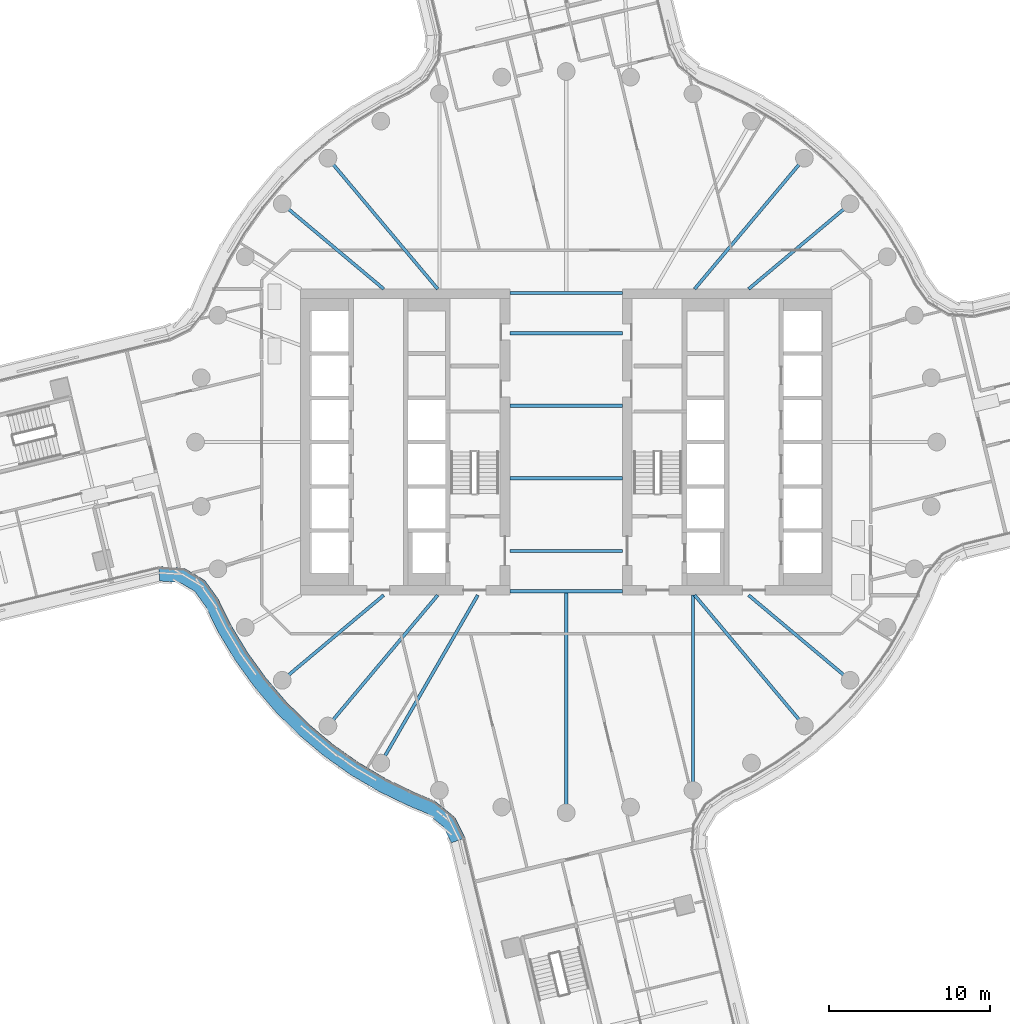
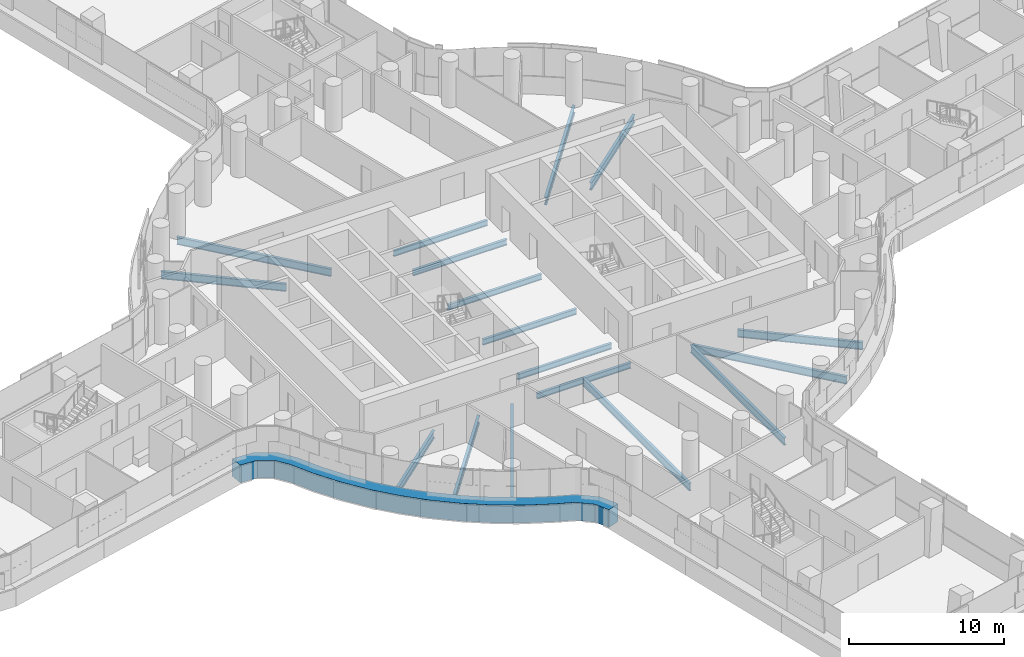
# One storey, part 8 of 33: 17 beams, 1 member, 1 element without a shape of its own.
"""IFC4 building model written with IfcOpenShell, lengths in metres."""

from ifc_helpers import new_model, si_unit, direction, frame, origin, origin_2d, place, context, subcontext, project, spatial, polyline, i_section, outline, extrude, material, layer, layer_set, material_profile, profile_set, type_object, element, aggregate, save


model = new_model("IFC4")

# Units and contexts
model_context = context("Model", 3, precision=1e-05, world=origin(), true_north=direction((0.0, 1.0)))
body_context = subcontext(model_context, "Body", "Model", "MODEL_VIEW")
ifc_project = project(units=[si_unit("LENGTHUNIT", "METRE"), si_unit("AREAUNIT", "SQUARE_METRE"), si_unit("VOLUMEUNIT", "CUBIC_METRE"), si_unit("PLANEANGLEUNIT", "RADIAN"), si_unit("MASSUNIT", "GRAM", prefix="KILO")], contexts=[model_context])

# Site, building, storey
site_placement = place(None, origin())
site = spatial("IfcSite", under=ifc_project, at=site_placement, CompositionType="ELEMENT")
building_placement = place(site_placement, origin())
building = spatial("IfcBuilding", under=site, at=building_placement, Name="Tamarind Cross Interchange Tower", CompositionType="ELEMENT")
storey_placement = place(building_placement, frame((0.0, 0.0, 83.5)))
storey = spatial("IfcBuildingStorey", under=building, at=storey_placement, Name="L19", CompositionType="ELEMENT", Elevation=83.5)

# Beams
ifc_material_1 = material(Name="Steel Q355B", Category="steel")
ifc_material_profile_1 = material_profile(ifc_material_1, i_section(OverallWidth=0.198974609375, OverallDepth=0.446044921875, WebThickness=0.008056640625, FlangeThickness=0.011962890625, FilletRadius=0.012939453125, at=origin_2d()), Name="HN 446x199x8x12")
ifc_profile_set_1 = profile_set([ifc_material_profile_1], Name="Steel Q355B")
beam_type_1 = type_object("IfcBeamType", Name="Composite beam HN 446x199x8x12 Q355B", PredefinedType="BEAM", material=ifc_profile_set_1)
for number, where, z_axis, x_axis, name in (
    (1, (-3.5, -2.25, -0.363037109375), (1.0, 0.0, 0.0), (0.0, 1.0, 0.0), "Beam G-2.25"),
    (2, (-3.5, -6.75, -0.363037109375), (1.0, 0.0, 0.0), (0.0, 1.0, 0.0), "Beam G-6.75"),
    (3, (-3.5, -9.25, -0.363037109375), (1.0, 0.0, 0.0), (0.0, 1.0, 0.0), "Beam G-9.25"),
    (4, (-3.5, 2.25, -0.363037109375), (1.0, 0.0, 0.0), (0.0, 1.0, 0.0), "Beam G2.25"),
    (5, (-3.5, 6.75, -0.363037109375), (1.0, 0.0, 0.0), (0.0, 1.0, 0.0), "Beam G6.75"),
    (6, (-3.5, 9.25, -0.363037109375), (1.0, 0.0, 0.0), (0.0, 1.0, 0.0), "Beam G9.25"),
):
    element("IfcBeam", number, at=place(storey_placement, frame(where, z_axis=z_axis, x_axis=x_axis)), inside=storey, type_object=beam_type_1, Name=name, PredefinedType="BEAM", context=body_context, shape_type="SweptSolid", body=[
        extrude(i_section(OverallWidth=0.198974609375, OverallDepth=0.446044921875, WebThickness=0.008056640625, FlangeThickness=0.011962890625, FilletRadius=0.012939453125, at=origin_2d()), origin(), (0.0, 0.0, 1.0), 7.0),
    ])
ifc_material_profile_2 = material_profile(ifc_material_1, i_section(OverallWidth=0.198974609375, OverallDepth=0.595947265625, WebThickness=0.010009765625, FlangeThickness=0.014892578125, FilletRadius=0.012939453125, at=origin_2d()), Name="HN 596x199x10x15")
ifc_profile_set_2 = profile_set([ifc_material_profile_2], Name="Steel Q355B")
beam_type_2 = type_object("IfcBeamType", Name="Composite beam HN 596x199x10x15 Q355B", PredefinedType="BEAM", material=ifc_profile_set_2)
beam_1_placement = place(storey_placement, frame((17.619140625, 14.7841796875, -0.43798828125), z_axis=(-0.766040580814, -0.642792212574, 0.0), x_axis=(0.642792212574, -0.766040580814, 0.0)))
element("IfcBeam", 7, at=beam_1_placement, inside=storey, type_object=beam_type_2, Name="Beam HH04", PredefinedType="BEAM", context=body_context, shape_type="SweptSolid", body=[
    extrude(i_section(OverallWidth=0.198974609375, OverallDepth=0.595947265625, WebThickness=0.010009765625, FlangeThickness=0.014892578125, FilletRadius=0.012939453125, at=origin_2d()), origin(), (0.0, 0.0, 1.0), 8.220703125),
])
for number, where, z_axis, x_axis, name in (
    (8, (14.7841796875, 17.619140625, -0.43798828125), (-0.642786293979, -0.766045547127, 0.0), (0.766045547127, -0.642786293979, 0.0), "Beam HH05"),
    (9, (-14.7841796875, 17.619140625, -0.43798828125), (0.642786293979, -0.766045547127, 0.0), (0.766045547127, 0.642786293979, 0.0), "Beam HH13"),
):
    element("IfcBeam", number, at=place(storey_placement, frame(where, z_axis=z_axis, x_axis=x_axis)), inside=storey, type_object=beam_type_2, Name=name, PredefinedType="BEAM", context=body_context, shape_type="SweptSolid", body=[
        extrude(i_section(OverallWidth=0.198974609375, OverallDepth=0.595947265625, WebThickness=0.010009765625, FlangeThickness=0.014892578125, FilletRadius=0.012939453125, at=origin_2d()), origin(), (0.0, 0.0, 1.0), 10.598876953125),
    ])
for number, where, z_axis, x_axis, name in (
    (10, (-17.619140625, 14.7841796875, -0.43798828125), (0.766040580814, -0.642792212574, 0.0), (0.642792212574, 0.766040580814, 0.0), "Beam HH14"),
    (11, (-17.619140625, -14.7841796875, -0.43798828125), (0.766040580814, 0.642792212574, 0.0), (-0.642792212574, 0.766040580814, 0.0), "Beam HH22"),
):
    element("IfcBeam", number, at=place(storey_placement, frame(where, z_axis=z_axis, x_axis=x_axis)), inside=storey, type_object=beam_type_2, Name=name, PredefinedType="BEAM", context=body_context, shape_type="SweptSolid", body=[
        extrude(i_section(OverallWidth=0.198974609375, OverallDepth=0.595947265625, WebThickness=0.010009765625, FlangeThickness=0.014892578125, FilletRadius=0.012939453125, at=origin_2d()), origin(), (0.0, 0.0, 1.0), 8.220703125),
    ])
beam_2_placement = place(storey_placement, frame((-14.7841796875, -17.619140625, -0.43798828125), z_axis=(0.642786293979, 0.766045547127, 0.0), x_axis=(-0.766045547127, 0.642786293979, 0.0)))
element("IfcBeam", 12, at=beam_2_placement, inside=storey, type_object=beam_type_2, Name="Beam HH23", PredefinedType="BEAM", context=body_context, shape_type="SweptSolid", body=[
    extrude(i_section(OverallWidth=0.198974609375, OverallDepth=0.595947265625, WebThickness=0.010009765625, FlangeThickness=0.014892578125, FilletRadius=0.012939453125, at=origin_2d()), origin(), (0.0, 0.0, 1.0), 10.598876953125),
])
beam_3_placement = place(storey_placement, frame((-11.5, -19.918701171875, -0.43798828125), z_axis=(0.499993565836, 0.866029118519, 0.0), x_axis=(-0.866029118519, 0.499993565836, 0.0)))
element("IfcBeam", 13, at=beam_3_placement, inside=storey, type_object=beam_type_2, Name="Beam HH24", PredefinedType="BEAM", context=body_context, shape_type="SweptSolid", body=[
    extrude(i_section(OverallWidth=0.198974609375, OverallDepth=0.595947265625, WebThickness=0.010009765625, FlangeThickness=0.014892578125, FilletRadius=0.012939453125, at=origin_2d()), origin(), (0.0, 0.0, 1.0), 12.030517578125),
])
beam_4_placement = place(storey_placement, frame((0.0, -23.0, -0.43798828125), z_axis=(0.0, 1.0, 0.0), x_axis=(-1.0, 0.0, 0.0)))
element("IfcBeam", 14, at=beam_4_placement, inside=storey, type_object=beam_type_2, Name="Beam HH27", PredefinedType="BEAM", context=body_context, shape_type="SweptSolid", body=[
    extrude(i_section(OverallWidth=0.198974609375, OverallDepth=0.595947265625, WebThickness=0.010009765625, FlangeThickness=0.014892578125, FilletRadius=0.012939453125, at=origin_2d()), origin(), (0.0, 0.0, 1.0), 13.75),
])
beam_5_placement = place(storey_placement, frame((7.866455078125, -21.613037109375, -0.43798828125), z_axis=(0.0, 1.0, 0.0), x_axis=(-1.0, 0.0, 0.0)))
element("IfcBeam", 15, at=beam_5_placement, inside=storey, type_object=beam_type_2, Name="Beam HH29", PredefinedType="BEAM", context=body_context, shape_type="SweptSolid", body=[
    extrude(i_section(OverallWidth=0.198974609375, OverallDepth=0.595947265625, WebThickness=0.010009765625, FlangeThickness=0.014892578125, FilletRadius=0.012939453125, at=origin_2d()), origin(), (0.0, 0.0, 1.0), 12.113037109375),
])
beam_6_placement = place(storey_placement, frame((14.7841796875, -17.619140625, -0.43798828125), z_axis=(-0.642786293979, 0.766045547127, 0.0), x_axis=(-0.766045547127, -0.642786293979, 0.0)))
element("IfcBeam", 16, at=beam_6_placement, inside=storey, type_object=beam_type_2, Name="Beam HH31", PredefinedType="BEAM", context=body_context, shape_type="SweptSolid", body=[
    extrude(i_section(OverallWidth=0.198974609375, OverallDepth=0.595947265625, WebThickness=0.010009765625, FlangeThickness=0.014892578125, FilletRadius=0.012939453125, at=origin_2d()), origin(), (0.0, 0.0, 1.0), 10.598876953125),
])
beam_7_placement = place(storey_placement, frame((17.619140625, -14.7841796875, -0.43798828125), z_axis=(-0.766040580814, 0.642792212574, 0.0), x_axis=(-0.642792212574, -0.766040580814, 0.0)))
element("IfcBeam", 17, at=beam_7_placement, inside=storey, type_object=beam_type_2, Name="Beam HH32", PredefinedType="BEAM", context=body_context, shape_type="SweptSolid", body=[
    extrude(i_section(OverallWidth=0.198974609375, OverallDepth=0.595947265625, WebThickness=0.010009765625, FlangeThickness=0.014892578125, FilletRadius=0.012939453125, at=origin_2d()), origin(), (0.0, 0.0, 1.0), 8.220703125),
])

# Curtain wall, member
ifc_material_2 = material(Name="Aluminium 6063-T6", Category="aluminium")
ifc_layer = layer(ifc_material_2, 0.14990234375)
ifc_layer_set = layer_set([ifc_layer], Name="Aluminium 6063-T6")
curtain_wall_type = type_object("IfcCurtainWallType", Name="Winter garden and crown curtain wall", PredefinedType="NOTDEFINED", material=ifc_layer_set)
curtain_wall_placement = place(storey_placement, origin())
curtain_wall = element("IfcCurtainWall", 18, at=curtain_wall_placement, inside=storey, type_object=curtain_wall_type, Name="CWS-L19-06", PredefinedType="NOTDEFINED")
ifc_material_3 = material(Name="Aluminium and insulated spandrel panel", Category="aluminium")
member_type = type_object("IfcMemberType", Name="Floor-edge blade transom", PredefinedType="USERDEFINED", material=ifc_material_3)
member_placement = place(storey_placement, origin())
member = element("IfcMember", 19, at=member_placement, type_object=member_type, Name="CWT-L19-06", ObjectType="TRANSOM", PredefinedType="USERDEFINED", context=body_context, shape_type="SweptSolid", body=[
    extrude(outline(polyline([(-25.29736328125, -7.717041015625), (-23.705322265625, -7.82275390625), (-22.420166015625, -8.587890625), (-21.60498046875, -9.72216796875), (-20.791015625, -11.367431640625), (-19.78125, -13.045654296875), (-18.636474609375, -14.634521484375), (-17.3642578125, -16.12353515625), (-15.973388671875, -17.50244140625), (-14.4736328125, -18.76171875), (-12.874755859375, -19.892822265625), (-11.188232421875, -20.88818359375), (-9.42138671875, -21.742431640625), (-8.156982421875, -22.267333984375), (-6.890625, -23.303466796875), (-6.2734375, -24.56298828125), (-7.125244140625, -24.870361328125), (-7.612548828125, -23.875732421875), (-8.624267578125, -23.0478515625), (-9.790283203125, -22.563720703125), (-11.613525390625, -21.68212890625), (-13.3642578125, -20.64892578125), (-15.023681640625, -19.474853515625), (-16.580810546875, -18.167724609375), (-18.0244140625, -16.736572265625), (-19.344970703125, -15.19091796875), (-20.533203125, -13.54150390625), (-21.581298828125, -11.7998046875), (-22.37890625, -10.1875), (-23.041748046875, -9.265380859375), (-23.980224609375, -8.706298828125), (-25.22021484375, -8.6240234375), (-25.29736328125, -7.717041015625)])), origin(), (0.0, 0.0, 1.0), 1.39990234375),
])
aggregate(curtain_wall, [member])

save(model, "model.ifc")
